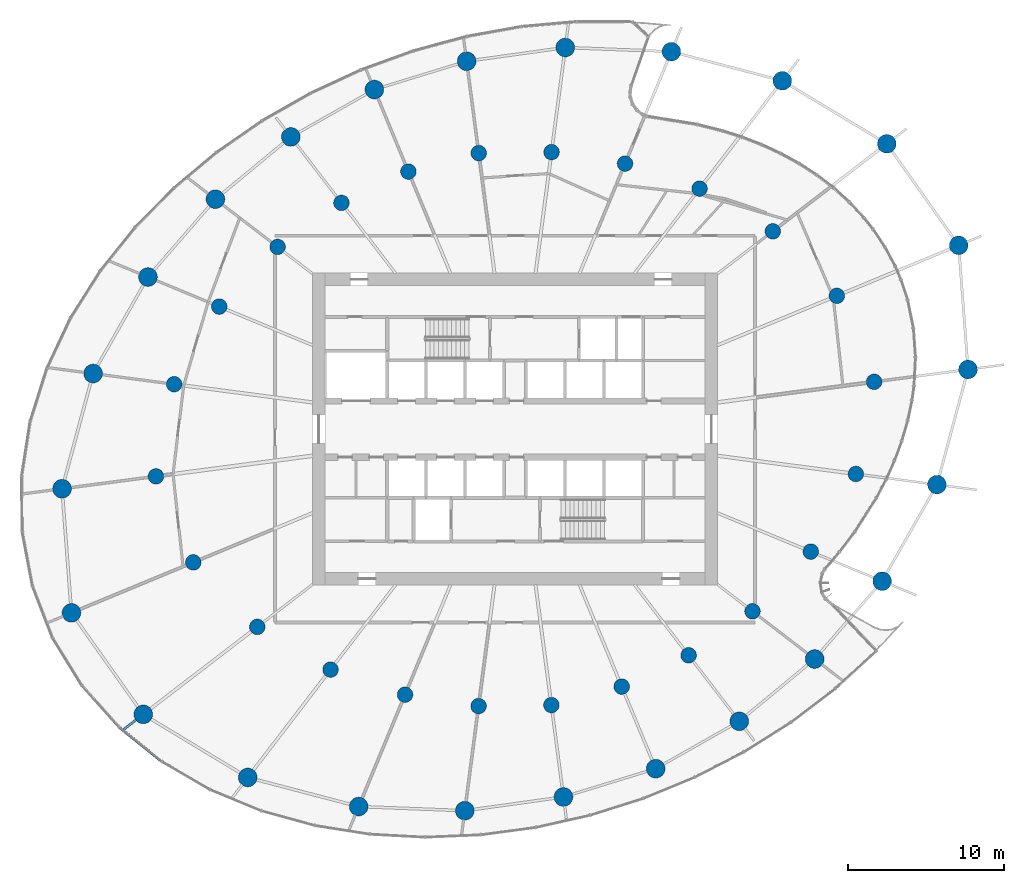
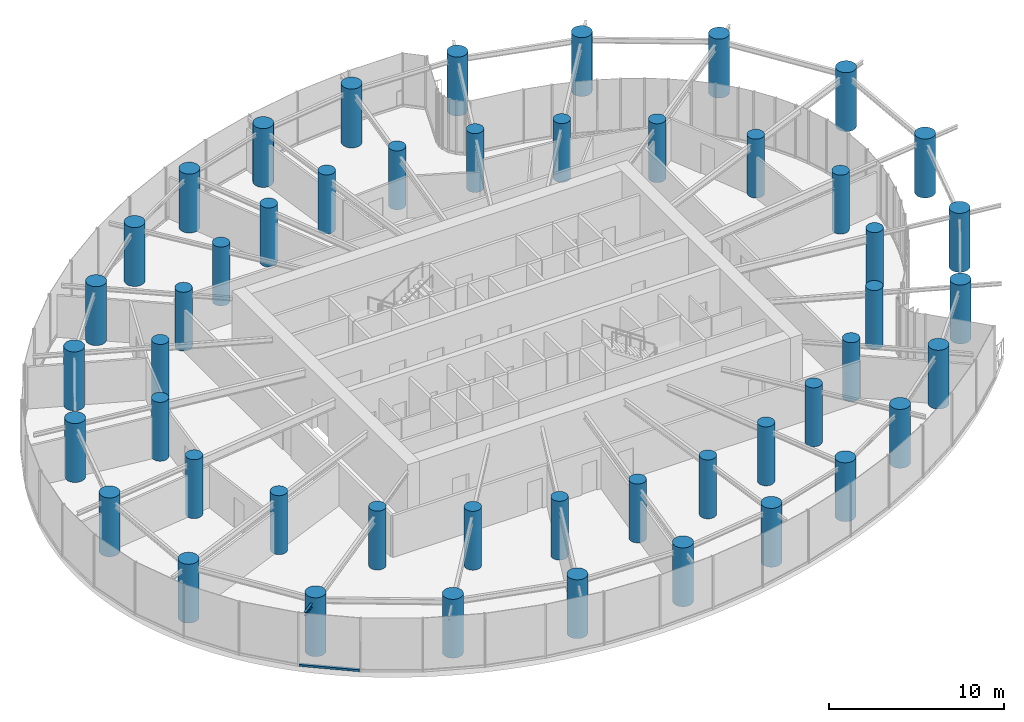
# One storey, part 1 of 21: 48 columns, 1 beam, 1 member, 1 element without a shape of its own.
"""IFC4 building model written with IfcOpenShell, lengths in metres."""

import ifcopenshell
import ifcopenshell.guid

model = None  # the IFC model being written
_history = None  # IfcOwnerHistory: only IFC2X3 demands one
_inside = {}  # id of a spatial element -> (the spatial element, [elements in it])
_under = {}  # id of a project, library or spatial element -> (it, [spatial elements below it])
_declared = {}  # id of a project -> (the project, [libraries it declares])
_typed = {}  # id of a type object -> (the type object, [elements of that type])
_made_of = {}  # id of a material, layer set ... -> (it, [elements and type objects made of it])


def new_model(schema):
    """Start an empty IFC model of exactly this schema.

    Asked for "IFC4X3", IfcOpenShell would pick the latest addendum, in which some entities
    have other attributes; the version numbers below select the first issue.
    IFC2X3 requires an IfcOwnerHistory on every rooted entity: one is made here for all.
    """
    global model, _history
    if schema == "IFC4X3":
        model = ifcopenshell.file(schema_version=(4, 3, 0, 0))
    else:
        model = ifcopenshell.file(schema=schema)
    _inside.clear()
    _under.clear()
    _declared.clear()
    _typed.clear()
    _made_of.clear()
    _history = None
    if model.schema == "IFC2X3":
        org = make("IfcOrganization", Name="unknown")
        user = make(
            "IfcPersonAndOrganization",
            ThePerson=make("IfcPerson", FamilyName="unknown"),
            TheOrganization=org,
        )
        app = make(
            "IfcApplication",
            ApplicationDeveloper=org,
            Version="unknown",
            ApplicationFullName="unknown",
            ApplicationIdentifier="unknown",
        )
        _history = make(
            "IfcOwnerHistory",
            OwningUser=user,
            OwningApplication=app,
            ChangeAction="ADDED",
            CreationDate=0,
        )
    return model


def make(cls, **values):
    """One entity of the class cls with the attributes given. An attribute that is None is left unset."""
    return model.create_entity(
        cls, **{name: value for name, value in values.items() if value is not None}
    )


def rooted(cls, **values):
    """An entity with a GlobalId (a new one), such as an element, a storey or a relation."""
    return make(cls, GlobalId=ifcopenshell.guid.new(), OwnerHistory=_history, **values)


def si_unit(unit_type, name, prefix=None):
    """IfcSIUnit, for example si_unit("LENGTHUNIT", "METRE", prefix="MILLI")."""
    return make("IfcSIUnit", UnitType=unit_type, Prefix=prefix, Name=name)


def assignment(units):
    """IfcUnitAssignment: the units of a project."""
    return None if units is None else make("IfcUnitAssignment", Units=units)


def point(xyz):
    """IfcCartesianPoint."""
    return None if xyz is None else make("IfcCartesianPoint", Coordinates=xyz)


def direction(xyz):
    """IfcDirection."""
    return None if xyz is None else make("IfcDirection", DirectionRatios=xyz)


def frame(location, z_axis=None, x_axis=None):
    """IfcAxis2Placement3D, a coordinate frame: its origin and axes. An axis left out is left unset."""
    return make(
        "IfcAxis2Placement3D",
        Location=point(location),
        Axis=direction(z_axis),
        RefDirection=direction(x_axis),
    )


def frame_2d(location, x_axis=None):
    """IfcAxis2Placement2D, a coordinate frame in the plane: its origin and x axis."""
    return make(
        "IfcAxis2Placement2D", Location=point(location), RefDirection=direction(x_axis)
    )


def origin():
    """The frame at (0, 0, 0) with its axes left unset."""
    return frame((0.0, 0.0, 0.0))


def origin_2d():
    """The frame at (0, 0) in the plane with its x axis left unset."""
    return frame_2d((0.0, 0.0))


def place(relative_to, where):
    """IfcLocalPlacement: puts the frame where relative to a parent placement (None: the world)."""
    return make(
        "IfcLocalPlacement", PlacementRelTo=relative_to, RelativePlacement=where
    )


def context(
    kind, dimensions, precision=None, world=None, true_north=None, identifier=None
):
    """IfcGeometricRepresentationContext, for example the 3D "Model" context."""
    return make(
        "IfcGeometricRepresentationContext",
        ContextIdentifier=identifier,
        ContextType=kind,
        CoordinateSpaceDimension=dimensions,
        Precision=precision,
        WorldCoordinateSystem=world,
        TrueNorth=true_north,
    )


def subcontext(parent, identifier, kind, view, scale=None):
    """IfcGeometricRepresentationSubContext, for example "Body" below "Model"."""
    return make(
        "IfcGeometricRepresentationSubContext",
        ContextIdentifier=identifier,
        ContextType=kind,
        ParentContext=parent,
        TargetScale=scale,
        TargetView=view,
    )


def project(units=None, contexts=None):
    """IfcProject with its units and contexts."""
    return rooted(
        "IfcProject",
        Name="project",
        RepresentationContexts=contexts,
        UnitsInContext=assignment(units),
    )


def spatial(cls, under=None, at=None, **own):
    """A site, building, storey or space (cls), placed at a placement, below another one or the project."""
    s = rooted(cls, ObjectPlacement=at, **own)
    if under is not None:
        _under.setdefault(under.id(), (under, []))[1].append(s)
    return s


def profile(cls, at=None, kind="AREA", **sizes):
    """A parametric profile (cls). Its sizes go by their IFC names, for example OverallWidth=200.0."""
    return make(cls, ProfileType=kind, Position=at, **sizes)


def rectangle(**sizes):
    """IfcRectangleProfileDef."""
    return profile("IfcRectangleProfileDef", **sizes)


def circle(**sizes):
    """IfcCircleProfileDef."""
    return profile("IfcCircleProfileDef", **sizes)


def i_section(**sizes):
    """IfcIShapeProfileDef."""
    return profile("IfcIShapeProfileDef", **sizes)


def extrude(swept, where, along, depth):
    """IfcExtrudedAreaSolid: the profile swept, set in the frame where, extruded along a direction by depth."""
    return make(
        "IfcExtrudedAreaSolid",
        SweptArea=swept,
        Position=where,
        ExtrudedDirection=direction(along),
        Depth=depth,
    )


def shape(context_of_items, identifier, shape_type, items):
    """IfcShapeRepresentation: the items that make up one representation, for example the "Body"."""
    return make(
        "IfcShapeRepresentation",
        ContextOfItems=context_of_items,
        RepresentationIdentifier=identifier,
        RepresentationType=shape_type,
        Items=items,
    )


def source(mapping_origin, context_of_items, identifier, shape_type, items):
    """IfcRepresentationMap: a shape defined once, which mapped items show again and again."""
    return make(
        "IfcRepresentationMap",
        MappingOrigin=mapping_origin,
        MappedRepresentation=shape(context_of_items, identifier, shape_type, items),
    )


def transform(
    local_origin,
    x_axis=None,
    y_axis=None,
    z_axis=None,
    scale=None,
    scale2=None,
    scale3=None,
    uniform=True,
):
    """IfcCartesianTransformationOperator3D, or its non-uniform kind. x_axis, y_axis, z_axis: its Axis1, 2, 3."""
    if uniform:
        return make(
            "IfcCartesianTransformationOperator3D",
            Axis1=direction(x_axis),
            Axis2=direction(y_axis),
            LocalOrigin=point(local_origin),
            Scale=scale,
            Axis3=direction(z_axis),
        )
    return make(
        "IfcCartesianTransformationOperator3DnonUniform",
        Axis1=direction(x_axis),
        Axis2=direction(y_axis),
        LocalOrigin=point(local_origin),
        Scale=scale,
        Axis3=direction(z_axis),
        Scale2=scale2,
        Scale3=scale3,
    )


def mapped(mapping_source, mapping_target):
    """IfcMappedItem: shows the shape of a source again, moved by a transform."""
    return make(
        "IfcMappedItem", MappingSource=mapping_source, MappingTarget=mapping_target
    )


def material(Name=None, Category=None):
    """IfcMaterial."""
    return make("IfcMaterial", Name=Name, Category=Category)


def layer(
    of_material, thickness, ventilated=None, Name=None, Category=None, Priority=None
):
    """IfcMaterialLayer: one layer of a wall or slab, of a material (None: an air gap)."""
    return make(
        "IfcMaterialLayer",
        Material=of_material,
        LayerThickness=thickness,
        IsVentilated=ventilated,
        Name=Name,
        Category=Category,
        Priority=Priority,
    )


def layer_set(layers, Name=None):
    """IfcMaterialLayerSet."""
    return make("IfcMaterialLayerSet", MaterialLayers=layers, LayerSetName=Name)


def material_profile(
    of_material, cross_section, Name=None, Category=None, Priority=None
):
    """IfcMaterialProfile: a cross section and its material."""
    return make(
        "IfcMaterialProfile",
        Name=Name,
        Material=of_material,
        Profile=cross_section,
        Priority=Priority,
        Category=Category,
    )


def profile_set(profiles, Name=None, composite=None):
    """IfcMaterialProfileSet."""
    return make(
        "IfcMaterialProfileSet",
        Name=Name,
        MaterialProfiles=profiles,
        CompositeProfile=composite,
    )


def made_of(thing, what):
    """Note that an element or type object is made of a material, layer set ...; save() writes the relation."""
    if what is not None:
        _made_of.setdefault(what.id(), (what, []))[1].append(thing)
    return thing


def type_object(cls, material=None, **own):
    """A type object (cls), such as IfcWallType, which elements share."""
    return made_of(rooted(cls, **own), material)


def element(
    cls,
    number,
    at=None,
    inside=None,
    cuts=None,
    type_object=None,
    material=None,
    context=None,
    identifier="Body",
    shape_type=None,
    held_by="IfcProductDefinitionShape",
    body=None,
    shapes=None,
    **own,
):
    """One element of the class cls, such as IfcWall. Its Tag is "e" and its number.

    at: its placement. inside: the storey or other place that contains it. cuts: it is an
    opening in that element (IfcRelVoidsElement). A single representation is given by context,
    identifier, shape_type and body (its items); several are given by shapes. held_by: the class
    of the entity that holds the representations. save() writes the other relations.
    """
    e = rooted(cls, Tag="e%d" % number, ObjectPlacement=at, **own)
    if body is not None:
        shapes = [shape(context, identifier, shape_type, body)]
    if shapes is not None:
        e.Representation = make(held_by, Representations=shapes)
    if inside is not None:
        _inside.setdefault(inside.id(), (inside, []))[1].append(e)
    if cuts is not None:
        rooted(
            "IfcRelVoidsElement", RelatingBuildingElement=cuts, RelatedOpeningElement=e
        )
    if type_object is not None:
        _typed.setdefault(type_object.id(), (type_object, []))[1].append(e)
    return made_of(e, material)


def aggregate(whole, parts):
    """IfcRelAggregates: a whole, such as a stair, and the parts it consists of."""
    return rooted("IfcRelAggregates", RelatingObject=whole, RelatedObjects=parts)


def save(model, path):
    """Write the relations noted so far, then the file.

    IfcRelAggregates (storeys below a building ...), IfcRelContainedInSpatialStructure (elements
    in a storey), IfcRelDefinesByType, IfcRelAssociatesMaterial and IfcRelDeclares: one each for
    every whole, place, type object, material and project.
    """
    for whole, parts in _under.values():
        aggregate(whole, parts)
    for where, things in _inside.values():
        rooted(
            "IfcRelContainedInSpatialStructure",
            RelatedElements=things,
            RelatingStructure=where,
        )
    for kind, things in _typed.values():
        rooted("IfcRelDefinesByType", RelatedObjects=things, RelatingType=kind)
    for what, things in _made_of.values():
        rooted("IfcRelAssociatesMaterial", RelatedObjects=things, RelatingMaterial=what)
    for by, libraries in _declared.values():
        rooted("IfcRelDeclares", RelatingContext=by, RelatedDefinitions=libraries)
    model.write(path)


model = new_model("IFC4")

# Units and contexts
model_context = context("Model", 3, precision=1e-05, world=origin(), true_north=direction((0.0, 1.0)))
body_context = subcontext(model_context, "Body", "Model", "MODEL_VIEW")
ifc_project = project(units=[si_unit("LENGTHUNIT", "METRE"), si_unit("AREAUNIT", "SQUARE_METRE"), si_unit("VOLUMEUNIT", "CUBIC_METRE"), si_unit("PLANEANGLEUNIT", "RADIAN"), si_unit("MASSUNIT", "GRAM", prefix="KILO")], contexts=[model_context])

# Site, building, storey
site_placement = place(None, origin())
site = spatial("IfcSite", under=ifc_project, at=site_placement, CompositionType="ELEMENT")
building_placement = place(site_placement, origin())
building = spatial("IfcBuilding", under=site, at=building_placement, Name="Spindrift Exchange Tower", CompositionType="ELEMENT")
storey_placement = place(building_placement, frame((0.0, 0.0, 83.89990234375)))
storey = spatial("IfcBuildingStorey", under=building, at=storey_placement, Name="L19", CompositionType="ELEMENT", Elevation=83.89990234375)

# Columns
ifc_material_1 = material(Name="Concrete 65 MPa", Category="concrete")
ifc_material_profile_1 = material_profile(ifc_material_1, circle(Radius=0.60009765625, at=origin_2d()), Name="RC D1200")
ifc_profile_set_1 = profile_set([ifc_material_profile_1], Name="Concrete 65 MPa")
column_type_1 = type_object("IfcColumnType", Name="RC Perimeter Column D1200 Concrete 65 MPa", PredefinedType="COLUMN", material=ifc_profile_set_1)
shared_shape_1 = source(origin(), body_context, "Body", "SweptSolid", [
    extrude(circle(Radius=0.60009765625, at=origin_2d()), origin(), (0.0, 0.0, 1.0), 4.10009765625),
])
for number, where, z_axis, x_axis, name in (
    (1, (81.056396484375, 51.8251953125, 0.0), (0.0, 0.0, 1.0), (1.0, 0.0, 0.0), "Perimeter column P2-01 L19"),
    (2, (80.45556640625, 59.78662109375, 0.0), (0.0, 0.0, 1.0), (1.0, 0.0, 0.0), "Perimeter column P2-02 L19"),
    (3, (75.84814453125, 66.29931640625, 0.0), (0.0, 0.0, 1.0), (1.0, 0.0, 0.0), "Perimeter column P2-03 L19"),
    (4, (69.145751953125, 70.3447265625, 0.0), (0.0, 0.0, 1.0), (1.0, 0.0, 0.0), "Perimeter column P2-04 L19"),
    (5, (62.029052734375, 72.212158203125, 0.0), (0.0, 0.0, 1.0), (1.0, 0.0, 0.0), "Perimeter column P2-05 L19"),
    (6, (55.222412109375, 72.476806640625, 0.0), (0.0, 0.0, 1.0), (1.0, 0.0, 0.0), "Perimeter column P2-06 L19"),
    (7, (48.8935546875, 71.595458984375, 0.0), (0.0, 0.0, 1.0), (1.0, 0.0, 0.0), "Perimeter column P2-07 L19"),
    (8, (42.978271484375, 69.780517578125, 0.0), (0.0, 0.0, 1.0), (1.0, 0.0, 0.0), "Perimeter column P2-08 L19"),
    (9, (37.617919921875, 66.742919921875, 0.0), (0.0, 0.0, 1.0), (1.0, 0.0, 0.0), "Perimeter column P2-09 L19"),
    (10, (32.7802734375, 62.747802734375, 0.0), (0.0, 0.0, 1.0), (1.0, 0.0, 0.0), "Perimeter column P2-10 L19"),
    (11, (28.4521484375, 57.75390625, 0.0), (0.0, 0.0, 1.0), (1.0, 0.0, 0.0), "Perimeter column P2-11 L19"),
    (12, (24.935546875, 51.56298828125, 0.0), (0.0, 0.0, 1.0), (1.0, 0.0, 0.0), "Perimeter column P2-12 L19"),
    (13, (22.943603515625, 44.1748046875, 0.0), (0.0, 0.0, 1.0), (1.0, 0.0, 0.0), "Perimeter column P2-13 L19"),
    (14, (23.54443359375, 36.21337890625, 0.0), (0.0, 0.0, 1.0), (1.0, 0.0, 0.0), "Perimeter column P2-14 L19"),
    (15, (28.15185546875, 29.70068359375, 0.0), (0.0, 0.0, 1.0), (1.0, 0.0, 0.0), "Perimeter column P2-15 L19"),
    (16, (34.854248046875, 25.6552734375, 0.0), (0.0, 0.0, 1.0), (1.0, 0.0, 0.0), "Perimeter column P2-16 L19"),
    (17, (41.970947265625, 23.787841796875, 0.0), (0.0, 0.0, 1.0), (1.0, 0.0, 0.0), "Perimeter column P2-17 L19"),
    (18, (48.777587890625, 23.523193359375, 0.0), (0.0, 0.0, 1.0), (1.0, 0.0, 0.0), "Perimeter column P2-18 L19"),
    (19, (55.1064453125, 24.404541015625, 0.0), (0.0, 0.0, 1.0), (1.0, 0.0, 0.0), "Perimeter column P2-19 L19"),
    (20, (61.021728515625, 26.219482421875, 0.0), (0.0, 0.0, 1.0), (1.0, 0.0, 0.0), "Perimeter column P2-20 L19"),
    (21, (66.382080078125, 29.257080078125, 0.0), (0.0, 0.0, 1.0), (1.0, 0.0, 0.0), "Perimeter column P2-21 L19"),
    (22, (71.2197265625, 33.252197265625, 0.0), (0.0, 0.0, 1.0), (1.0, 0.0, 0.0), "Perimeter column P2-22 L19"),
    (23, (75.5478515625, 38.24609375, 0.0), (0.0, 0.0, 1.0), (1.0, 0.0, 0.0), "Perimeter column P2-23 L19"),
    (24, (79.064453125, 44.43701171875, 0.0), (0.0, 0.0, 1.0), (1.0, 0.0, 0.0), "Perimeter column P2-24 L19"),
):
    element("IfcColumn", number, at=place(storey_placement, frame(where, z_axis=z_axis, x_axis=x_axis)), inside=storey, type_object=column_type_1, Name=name, PredefinedType="COLUMN", context=body_context, shape_type="MappedRepresentation", body=[
        mapped(shared_shape_1, transform((0.0, 0.0, 0.0), scale=1.0)),
    ])
ifc_material_profile_2 = material_profile(ifc_material_1, circle(Radius=0.5, at=origin_2d()), Name="RC D1000")
ifc_profile_set_2 = profile_set([ifc_material_profile_2], Name="Concrete 65 MPa")
column_type_2 = type_object("IfcColumnType", Name="RC Inner Column D1000 Concrete 65 MPa", PredefinedType="COLUMN", material=ifc_profile_set_2)
shared_shape_2 = source(origin(), body_context, "Body", "SweptSolid", [
    extrude(circle(Radius=0.5, at=origin_2d()), origin(), (0.0, 0.0, 1.0), 4.10009765625),
])
for number, where, z_axis, x_axis, name in (
    (25, (75.033935546875, 51.032470703125, 0.0), (0.0, 0.0, 1.0), (1.0, 0.0, 0.0), "Inner column Q2-01 L19"),
    (26, (72.639404296875, 56.549072265625, 0.0), (0.0, 0.0, 1.0), (1.0, 0.0, 0.0), "Inner column Q2-02 L19"),
    (27, (68.534912109375, 60.6875, 0.0), (0.0, 0.0, 1.0), (1.0, 0.0, 0.0), "Inner column Q2-03 L19"),
    (28, (63.835205078125, 63.423828125, 0.0), (0.0, 0.0, 1.0), (1.0, 0.0, 0.0), "Inner column Q2-04 L19"),
    (29, (59.0546875, 65.03125, 0.0), (0.0, 0.0, 1.0), (1.0, 0.0, 0.0), "Inner column Q2-05 L19"),
    (30, (54.339111328125, 65.767333984375, 0.0), (0.0, 0.0, 1.0), (1.0, 0.0, 0.0), "Inner column Q2-06 L19"),
    (31, (49.669189453125, 65.703125, 0.0), (0.0, 0.0, 1.0), (1.0, 0.0, 0.0), "Inner column Q2-07 L19"),
    (32, (45.158203125, 64.517578125, 0.0), (0.0, 0.0, 1.0), (1.0, 0.0, 0.0), "Inner column Q2-08 L19"),
    (33, (40.8662109375, 62.510009765625, 0.0), (0.0, 0.0, 1.0), (1.0, 0.0, 0.0), "Inner column Q2-09 L19"),
    (34, (36.767578125, 59.688232421875, 0.0), (0.0, 0.0, 1.0), (1.0, 0.0, 0.0), "Inner column Q2-10 L19"),
    (35, (33.027587890625, 55.858642578125, 0.0), (0.0, 0.0, 1.0), (1.0, 0.0, 0.0), "Inner column Q2-11 L19"),
    (36, (30.13671875, 50.87841796875, 0.0), (0.0, 0.0, 1.0), (1.0, 0.0, 0.0), "Inner column Q2-12 L19"),
    (37, (28.966064453125, 44.967529296875, 0.0), (0.0, 0.0, 1.0), (1.0, 0.0, 0.0), "Inner column Q2-13 L19"),
    (38, (31.360595703125, 39.450927734375, 0.0), (0.0, 0.0, 1.0), (1.0, 0.0, 0.0), "Inner column Q2-14 L19"),
    (39, (35.465087890625, 35.3125, 0.0), (0.0, 0.0, 1.0), (1.0, 0.0, 0.0), "Inner column Q2-15 L19"),
    (40, (40.164794921875, 32.576171875, 0.0), (0.0, 0.0, 1.0), (1.0, 0.0, 0.0), "Inner column Q2-16 L19"),
    (41, (44.9453125, 30.96875, 0.0), (0.0, 0.0, 1.0), (1.0, 0.0, 0.0), "Inner column Q2-17 L19"),
    (42, (49.660888671875, 30.232666015625, 0.0), (0.0, 0.0, 1.0), (1.0, 0.0, 0.0), "Inner column Q2-18 L19"),
    (43, (54.330810546875, 30.296875, 0.0), (0.0, 0.0, 1.0), (1.0, 0.0, 0.0), "Inner column Q2-19 L19"),
    (44, (58.841796875, 31.482421875, 0.0), (0.0, 0.0, 1.0), (1.0, 0.0, 0.0), "Inner column Q2-20 L19"),
    (45, (63.1337890625, 33.489990234375, 0.0), (0.0, 0.0, 1.0), (1.0, 0.0, 0.0), "Inner column Q2-21 L19"),
    (46, (67.232421875, 36.311767578125, 0.0), (0.0, 0.0, 1.0), (1.0, 0.0, 0.0), "Inner column Q2-22 L19"),
    (47, (70.972412109375, 40.141357421875, 0.0), (0.0, 0.0, 1.0), (1.0, 0.0, 0.0), "Inner column Q2-23 L19"),
    (48, (73.86328125, 45.12158203125, 0.0), (0.0, 0.0, 1.0), (1.0, 0.0, 0.0), "Inner column Q2-24 L19"),
):
    element("IfcColumn", number, at=place(storey_placement, frame(where, z_axis=z_axis, x_axis=x_axis)), inside=storey, type_object=column_type_2, Name=name, PredefinedType="COLUMN", context=body_context, shape_type="MappedRepresentation", body=[
        mapped(shared_shape_2, transform((0.0, 0.0, 0.0), scale=1.0)),
    ])

# Beam
ifc_material_2 = material(Name="Steel Grade 300", Category="steel")
ifc_material_profile_3 = material_profile(ifc_material_2, i_section(OverallWidth=0.14599609375, OverallDepth=0.251953125, WebThickness=0.006103515625, FlangeThickness=0.008544921875, FilletRadius=0.011962890625, at=origin_2d()), Name="250UB31.4")
ifc_profile_set_3 = profile_set([ifc_material_profile_3], Name="Steel Grade 300")
beam_type = type_object("IfcBeamType", Name="Cantilever Beam 250UB31.4 Steel Grade 300", PredefinedType="BEAM", material=ifc_profile_set_3)
shared_shape_3 = source(origin(), body_context, "Body", "SweptSolid", [
    extrude(i_section(OverallWidth=0.14599609375, OverallDepth=0.251953125, WebThickness=0.006103515625, FlangeThickness=0.008544921875, FilletRadius=0.011962890625, at=origin_2d()), origin(), (0.0, 0.0, 1.0), 1.012451171875),
])
beam_placement = place(storey_placement, frame((27.691650390625, 29.347412109375, 3.57421875), z_axis=(-0.79350156931, -0.608568204479, 0.0), x_axis=(0.608568204479, -0.79350156931, 0.0)))
element("IfcBeam", 49, at=beam_placement, inside=storey, type_object=beam_type, Name="L19 cantilever beam R15T", PredefinedType="BEAM", context=body_context, shape_type="MappedRepresentation", body=[
    mapped(shared_shape_3, transform((0.0, 0.0, 0.0), scale=1.0)),
])

# Curtain wall, member
ifc_material_3 = material(Name="Fritted laminated glass with bronze frame", Category="glass")
ifc_layer = layer(ifc_material_3, 0.18994140625)
ifc_layer_set = layer_set([ifc_layer], Name="ZONE 2 BRONZE FRITTED WALL")
curtain_wall_type = type_object("IfcCurtainWallType", Name="ZONE 2 BRONZE FRITTED WALL", PredefinedType="NOTDEFINED", material=ifc_layer_set)
curtain_wall_placement = place(storey_placement, origin())
curtain_wall = element("IfcCurtainWall", 50, at=curtain_wall_placement, inside=storey, type_object=curtain_wall_type, Name="L19 Zone 2 Bronze Fritted Wall run 4", PredefinedType="NOTDEFINED")
ifc_material_4 = material(Name="Bronze anodised aluminium", Category="aluminium")
ifc_material_profile_4 = material_profile(ifc_material_4, rectangle(XDim=0.169921875, YDim=0.139892578125, at=origin_2d()), Name="ZONE 2 BRONZE FRITTED WALL TRANSOM 170X140")
ifc_profile_set_4 = profile_set([ifc_material_profile_4], Name="Bronze anodised aluminium")
member_type = type_object("IfcMemberType", Name="ZONE 2 BRONZE FRITTED WALL TRANSOM 170X140", PredefinedType="USERDEFINED", material=ifc_profile_set_4)
shared_shape_4 = source(origin(), body_context, "Body", "SweptSolid", [
    extrude(rectangle(XDim=0.169921875, YDim=0.139892578125, at=origin_2d()), origin(), (0.0, 0.0, 1.0), 3.489013671875),
])
member_placement = place(storey_placement, frame((26.600830078125, 28.87890625, 0.070068359375), z_axis=(0.779378350821, -0.626553578133, 0.0), x_axis=(0.626553578133, 0.779378350821, 0.0)))
member = element("IfcMember", 51, at=member_placement, type_object=member_type, Name="L19 transom CW-2.21", ObjectType="TRANSOM", PredefinedType="USERDEFINED", context=body_context, shape_type="MappedRepresentation", body=[
    mapped(shared_shape_4, transform((0.0, 0.0, 0.0), scale=1.0)),
])
aggregate(curtain_wall, [member])

save(model, "model.ifc")
